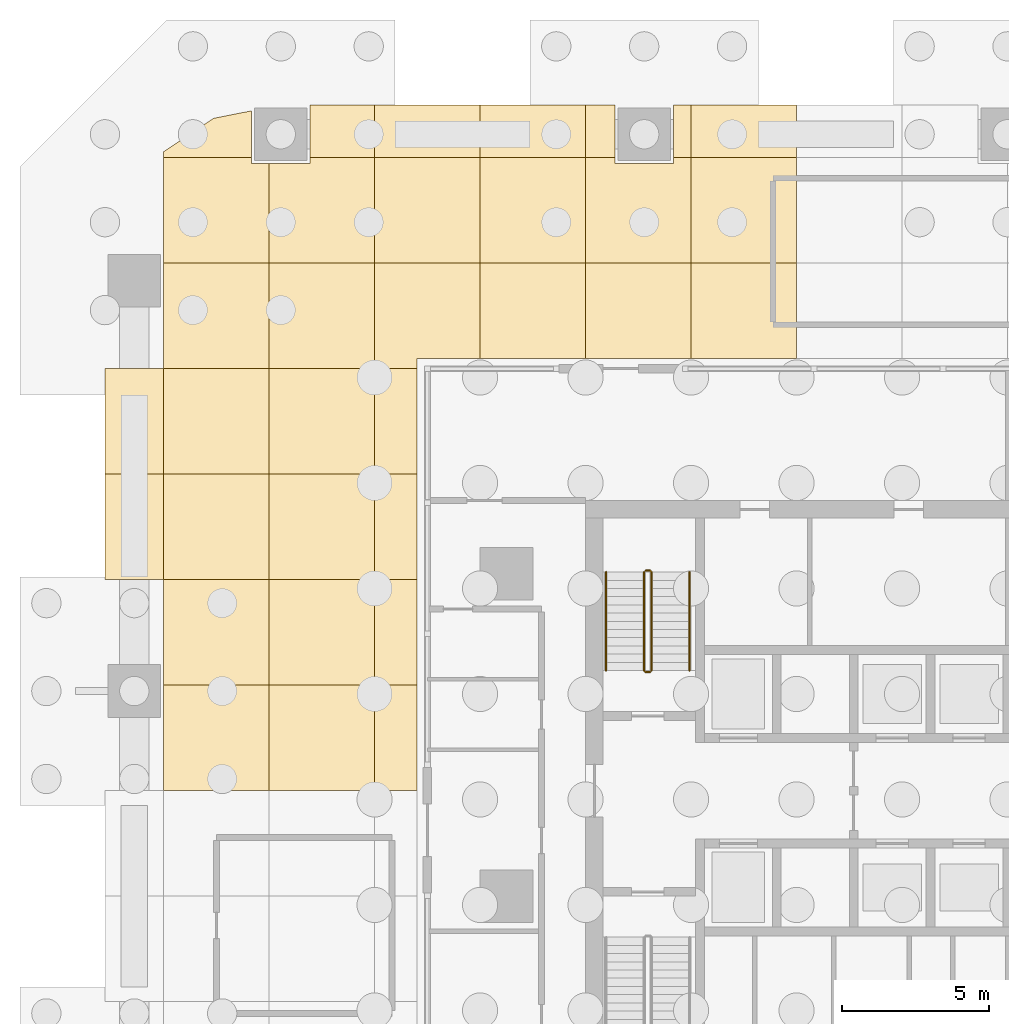
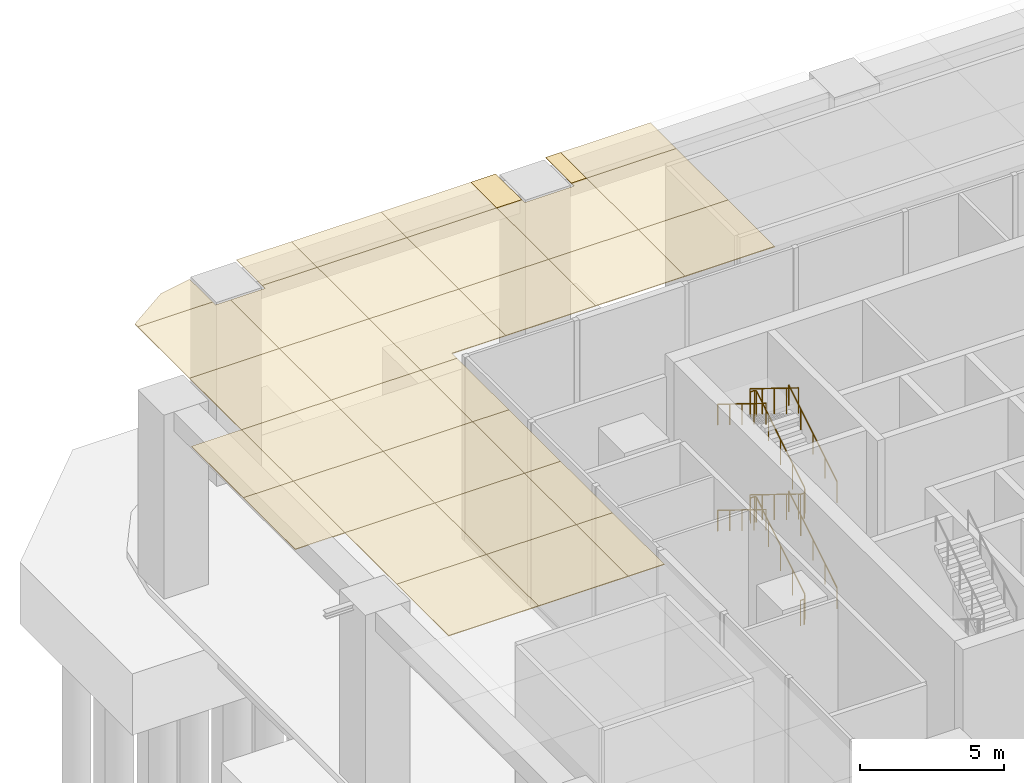
# One storey, part 15 of 18: 33 coverings, 9 railings.
"""IFC4 building model written with IfcOpenShell, lengths in metres."""

from ifc_helpers import new_model, si_unit, direction, frame, origin, origin_2d, place, context, subcontext, project, spatial, polyline, circle, outline, extrude, material, layer, layer_set, type_object, element, save


model = new_model("IFC4")

# Units and contexts
model_context = context("Model", 3, precision=1e-05, world=origin(), true_north=direction((0.0, 1.0)))
body_context = subcontext(model_context, "Body", "Model", "MODEL_VIEW")
ifc_project = project(units=[si_unit("LENGTHUNIT", "METRE"), si_unit("AREAUNIT", "SQUARE_METRE"), si_unit("VOLUMEUNIT", "CUBIC_METRE"), si_unit("PLANEANGLEUNIT", "RADIAN"), si_unit("MASSUNIT", "GRAM", prefix="KILO")], contexts=[model_context])

# Site, building, storey
site_placement = place(None, origin())
site = spatial("IfcSite", under=ifc_project, at=site_placement, CompositionType="ELEMENT")
building_placement = place(site_placement, origin())
building = spatial("IfcBuilding", under=site, at=building_placement, Name="Mopane Tessera Tower", CompositionType="ELEMENT")
storey_placement = place(building_placement, origin())
storey = spatial("IfcBuildingStorey", under=building, at=storey_placement, Name="L00", CompositionType="ELEMENT", Elevation=0.0)

# Railings
ifc_material_1 = material(Name="Powder-coated steel balustrade", Category="steel")
railing_type_1 = type_object("IfcRailingType", Name="Escape stair guard 1100 mm", PredefinedType="GUARDRAIL", material=ifc_material_1)
railing_1_placement = place(storey_placement, frame((-12.14990234375, 7.699951171875, 0.173095703125)))
element("IfcRailing", 1, at=railing_1_placement, inside=storey, type_object=railing_type_1, Name="L00 ST2 stair guard 1", PredefinedType="GUARDRAIL", context=body_context, shape_type="SweptSolid", body=[
    extrude(circle(Radius=0.02392578125, at=origin_2d()), frame((0.0, 0.0, 1.076171875), z_axis=(0.0, 0.850623216509, 0.525775754039), x_axis=(-1.0, 0.0, 0.0)), (0.0, 0.0, 1.0), 3.9501953125),
    extrude(circle(Radius=0.02392578125, at=origin_2d()), frame((0.0, 3.360107421875, 3.15283203125), z_axis=(-0.707106781187, 0.707106781187, 0.0), x_axis=(-0.707106781187, -0.707106781187, 0.0)), (0.0, 0.0, 1.0), 0.07080078125),
    extrude(circle(Radius=0.02392578125, at=origin_2d()), frame((-0.050048828125, 3.41015625, 3.15283203125), z_axis=(-1.0, 0.0, 0.0), x_axis=(0.0, -1.0, 0.0)), (0.0, 0.0, 1.0), 0.150146484375),
    extrude(circle(Radius=0.02099609375, at=origin_2d()), origin(), (0.0, 0.0, 1.0), 1.052001953125),
    extrude(circle(Radius=0.02099609375, at=origin_2d()), frame((0.0, 0.840087890625, 0.519287109375)), (0.0, 0.0, 1.0), 1.052001953125),
    extrude(circle(Radius=0.02099609375, at=origin_2d()), frame((0.0, 1.68017578125, 1.03857421875)), (0.0, 0.0, 1.0), 1.052001953125),
    extrude(circle(Radius=0.02099609375, at=origin_2d()), frame((0.0, 2.52001953125, 1.5576171875)), (0.0, 0.0, 1.0), 1.052001953125),
    extrude(circle(Radius=0.02099609375, at=origin_2d()), frame((0.0, 3.360107421875, 2.076904296875)), (0.0, 0.0, 1.0), 1.052001953125),
    extrude(circle(Radius=0.02099609375, at=origin_2d()), frame((-0.050048828125, 3.41015625, 2.076904296875)), (0.0, 0.0, 1.0), 1.052001953125),
    extrude(circle(Radius=0.02099609375, at=origin_2d()), frame((-0.2001953125, 3.41015625, 2.076904296875)), (0.0, 0.0, 1.0), 1.052001953125),
])
railing_2_placement = place(storey_placement, frame((-12.39990234375, 11.06005859375, 2.423095703125)))
element("IfcRailing", 2, at=railing_2_placement, inside=storey, type_object=railing_type_1, Name="L00 ST2 stair guard 2", PredefinedType="GUARDRAIL", context=body_context, shape_type="SweptSolid", body=[
    extrude(circle(Radius=0.02392578125, at=origin_2d()), frame((0.0, 0.0, 1.076171875), z_axis=(0.0, -0.850623216509, 0.525775754039), x_axis=(1.0, 0.0, 0.0)), (0.0, 0.0, 1.0), 3.9501953125),
    extrude(circle(Radius=0.02392578125, at=origin_2d()), frame((0.0, -3.360107421875, 3.15283203125), z_axis=(0.705375805398, -0.708833529934, 0.0), x_axis=(0.708833529934, 0.705375805398, 0.0)), (0.0, 0.0, 1.0), 0.070556640625),
    extrude(circle(Radius=0.02392578125, at=origin_2d()), frame((0.0498046875, -3.41015625, 3.15283203125), z_axis=(1.0, 0.0, 0.0), x_axis=(0.0, 1.0, 0.0)), (0.0, 0.0, 1.0), 0.150146484375),
    extrude(circle(Radius=0.02099609375, at=origin_2d()), origin(), (0.0, 0.0, 1.0), 1.052001953125),
    extrude(circle(Radius=0.02099609375, at=origin_2d()), frame((0.0, -0.840087890625, 0.519287109375)), (0.0, 0.0, 1.0), 1.052001953125),
    extrude(circle(Radius=0.02099609375, at=origin_2d()), frame((0.0, -1.68017578125, 1.03857421875)), (0.0, 0.0, 1.0), 1.052001953125),
    extrude(circle(Radius=0.02099609375, at=origin_2d()), frame((0.0, -2.52001953125, 1.5576171875)), (0.0, 0.0, 1.0), 1.052001953125),
    extrude(circle(Radius=0.02099609375, at=origin_2d()), frame((0.0, -3.360107421875, 2.076904296875)), (0.0, 0.0, 1.0), 1.052001953125),
    extrude(circle(Radius=0.02099609375, at=origin_2d()), frame((0.0498046875, -3.41015625, 2.076904296875)), (0.0, 0.0, 1.0), 1.052001953125),
    extrude(circle(Radius=0.02099609375, at=origin_2d()), frame((0.199951171875, -3.41015625, 2.076904296875)), (0.0, 0.0, 1.0), 1.052001953125),
])
railing_3_placement = place(storey_placement, frame((-12.14990234375, 7.699951171875, 4.673095703125)))
element("IfcRailing", 3, at=railing_3_placement, inside=storey, type_object=railing_type_1, Name="L00 ST2 stair guard 3", PredefinedType="GUARDRAIL", context=body_context, shape_type="SweptSolid", body=[
    extrude(circle(Radius=0.02392578125, at=origin_2d()), frame((0.0, 0.0, 1.076171875), z_axis=(0.0, 0.850623216509, 0.525775754039), x_axis=(-1.0, 0.0, 0.0)), (0.0, 0.0, 1.0), 3.9501953125),
    extrude(circle(Radius=0.02392578125, at=origin_2d()), frame((0.0, 3.360107421875, 3.15283203125), z_axis=(-0.707106781187, 0.707106781187, 0.0), x_axis=(-0.707106781187, -0.707106781187, 0.0)), (0.0, 0.0, 1.0), 0.07080078125),
    extrude(circle(Radius=0.02392578125, at=origin_2d()), frame((-0.050048828125, 3.41015625, 3.15283203125), z_axis=(-1.0, 0.0, 0.0), x_axis=(0.0, -1.0, 0.0)), (0.0, 0.0, 1.0), 0.150146484375),
    extrude(circle(Radius=0.02099609375, at=origin_2d()), origin(), (0.0, 0.0, 1.0), 1.052001953125),
    extrude(circle(Radius=0.02099609375, at=origin_2d()), frame((0.0, 0.840087890625, 0.519287109375)), (0.0, 0.0, 1.0), 1.052001953125),
    extrude(circle(Radius=0.02099609375, at=origin_2d()), frame((0.0, 1.68017578125, 1.03857421875)), (0.0, 0.0, 1.0), 1.052001953125),
    extrude(circle(Radius=0.02099609375, at=origin_2d()), frame((0.0, 2.52001953125, 1.5576171875)), (0.0, 0.0, 1.0), 1.052001953125),
    extrude(circle(Radius=0.02099609375, at=origin_2d()), frame((0.0, 3.360107421875, 2.076904296875)), (0.0, 0.0, 1.0), 1.052001953125),
    extrude(circle(Radius=0.02099609375, at=origin_2d()), frame((-0.050048828125, 3.41015625, 2.076904296875)), (0.0, 0.0, 1.0), 1.052001953125),
    extrude(circle(Radius=0.02099609375, at=origin_2d()), frame((-0.2001953125, 3.41015625, 2.076904296875)), (0.0, 0.0, 1.0), 1.052001953125),
])
railing_4_placement = place(storey_placement, frame((-12.39990234375, 11.06005859375, 6.923095703125)))
element("IfcRailing", 4, at=railing_4_placement, inside=storey, type_object=railing_type_1, Name="L00 ST2 stair guard 4", PredefinedType="GUARDRAIL", context=body_context, shape_type="SweptSolid", body=[
    extrude(circle(Radius=0.02392578125, at=origin_2d()), frame((0.0, 0.0, 1.076171875), z_axis=(0.0, -0.850623216509, 0.525775754039), x_axis=(1.0, 0.0, 0.0)), (0.0, 0.0, 1.0), 3.9501953125),
    extrude(circle(Radius=0.02099609375, at=origin_2d()), origin(), (0.0, 0.0, 1.0), 1.052001953125),
    extrude(circle(Radius=0.02099609375, at=origin_2d()), frame((0.0, -0.840087890625, 0.519287109375)), (0.0, 0.0, 1.0), 1.052001953125),
    extrude(circle(Radius=0.02099609375, at=origin_2d()), frame((0.0, -1.68017578125, 1.03857421875)), (0.0, 0.0, 1.0), 1.052001953125),
    extrude(circle(Radius=0.02099609375, at=origin_2d()), frame((0.0, -2.52001953125, 1.5576171875)), (0.0, 0.0, 1.0), 1.052001953125),
    extrude(circle(Radius=0.02099609375, at=origin_2d()), frame((0.0, -3.360107421875, 2.076904296875)), (0.0, 0.0, 1.0), 1.052001953125),
])
railing_5_placement = place(storey_placement, frame((-12.199951171875, 7.64990234375, 0.0)))
element("IfcRailing", 5, at=railing_5_placement, inside=storey, type_object=railing_type_1, Name="L00 ST2 stair guard 5", PredefinedType="GUARDRAIL", context=body_context, shape_type="SweptSolid", body=[
    extrude(circle(Radius=0.02392578125, at=origin_2d()), frame((0.0, 0.0, 1.076171875), z_axis=(-1.0, 0.0, 0.0), x_axis=(0.0, -1.0, 0.0)), (0.0, 0.0, 1.0), 0.150146484375),
    extrude(circle(Radius=0.02099609375, at=origin_2d()), origin(), (0.0, 0.0, 1.0), 1.052001953125),
    extrude(circle(Radius=0.02099609375, at=origin_2d()), frame((-0.150146484375, 0.0, 0.0)), (0.0, 0.0, 1.0), 1.052001953125),
])
ifc_material_2 = material(Name="Powder-coated steel balustrade", Category="steel")
railing_type_2 = type_object("IfcRailingType", Name="Escape stair handrail 900 mm", PredefinedType="HANDRAIL", material=ifc_material_2)
railing_6_placement = place(storey_placement, frame((-10.85009765625, 7.699951171875, 0.173095703125)))
element("IfcRailing", 6, at=railing_6_placement, inside=storey, type_object=railing_type_2, Name="L00 ST2 stair handrail 1", PredefinedType="HANDRAIL", context=body_context, shape_type="SweptSolid", body=[
    extrude(circle(Radius=0.02392578125, at=origin_2d()), frame((0.0, 0.0, 0.8759765625), z_axis=(0.0, 0.850623216509, 0.525775754039), x_axis=(-1.0, 0.0, 0.0)), (0.0, 0.0, 1.0), 3.9501953125),
    extrude(circle(Radius=0.02099609375, at=origin_2d()), origin(), (0.0, 0.0, 1.0), 0.851806640625),
    extrude(circle(Radius=0.02099609375, at=origin_2d()), frame((0.0, 0.840087890625, 0.519287109375)), (0.0, 0.0, 1.0), 0.851806640625),
    extrude(circle(Radius=0.02099609375, at=origin_2d()), frame((0.0, 1.68017578125, 1.03857421875)), (0.0, 0.0, 1.0), 0.851806640625),
    extrude(circle(Radius=0.02099609375, at=origin_2d()), frame((0.0, 2.52001953125, 1.5576171875)), (0.0, 0.0, 1.0), 0.851806640625),
    extrude(circle(Radius=0.02099609375, at=origin_2d()), frame((0.0, 3.360107421875, 2.076904296875)), (0.0, 0.0, 1.0), 0.851806640625),
])
railing_7_placement = place(storey_placement, frame((-13.699951171875, 11.06005859375, 2.423095703125)))
element("IfcRailing", 7, at=railing_7_placement, inside=storey, type_object=railing_type_2, Name="L00 ST2 stair handrail 2", PredefinedType="HANDRAIL", context=body_context, shape_type="SweptSolid", body=[
    extrude(circle(Radius=0.02392578125, at=origin_2d()), frame((0.0, 0.0, 0.8759765625), z_axis=(0.0, -0.850623216509, 0.525775754039), x_axis=(1.0, 0.0, 0.0)), (0.0, 0.0, 1.0), 3.9501953125),
    extrude(circle(Radius=0.02099609375, at=origin_2d()), origin(), (0.0, 0.0, 1.0), 0.851806640625),
    extrude(circle(Radius=0.02099609375, at=origin_2d()), frame((0.0, -0.840087890625, 0.519287109375)), (0.0, 0.0, 1.0), 0.851806640625),
    extrude(circle(Radius=0.02099609375, at=origin_2d()), frame((0.0, -1.68017578125, 1.03857421875)), (0.0, 0.0, 1.0), 0.851806640625),
    extrude(circle(Radius=0.02099609375, at=origin_2d()), frame((0.0, -2.52001953125, 1.5576171875)), (0.0, 0.0, 1.0), 0.851806640625),
    extrude(circle(Radius=0.02099609375, at=origin_2d()), frame((0.0, -3.360107421875, 2.076904296875)), (0.0, 0.0, 1.0), 0.851806640625),
])
railing_8_placement = place(storey_placement, frame((-10.85009765625, 7.699951171875, 4.673095703125)))
element("IfcRailing", 8, at=railing_8_placement, inside=storey, type_object=railing_type_2, Name="L00 ST2 stair handrail 3", PredefinedType="HANDRAIL", context=body_context, shape_type="SweptSolid", body=[
    extrude(circle(Radius=0.02392578125, at=origin_2d()), frame((0.0, 0.0, 0.8759765625), z_axis=(0.0, 0.850623216509, 0.525775754039), x_axis=(-1.0, 0.0, 0.0)), (0.0, 0.0, 1.0), 3.9501953125),
    extrude(circle(Radius=0.02099609375, at=origin_2d()), origin(), (0.0, 0.0, 1.0), 0.851806640625),
    extrude(circle(Radius=0.02099609375, at=origin_2d()), frame((0.0, 0.840087890625, 0.519287109375)), (0.0, 0.0, 1.0), 0.851806640625),
    extrude(circle(Radius=0.02099609375, at=origin_2d()), frame((0.0, 1.68017578125, 1.03857421875)), (0.0, 0.0, 1.0), 0.851806640625),
    extrude(circle(Radius=0.02099609375, at=origin_2d()), frame((0.0, 2.52001953125, 1.5576171875)), (0.0, 0.0, 1.0), 0.851806640625),
    extrude(circle(Radius=0.02099609375, at=origin_2d()), frame((0.0, 3.360107421875, 2.076904296875)), (0.0, 0.0, 1.0), 0.851806640625),
])
railing_9_placement = place(storey_placement, frame((-13.699951171875, 11.06005859375, 6.923095703125)))
element("IfcRailing", 9, at=railing_9_placement, inside=storey, type_object=railing_type_2, Name="L00 ST2 stair handrail 4", PredefinedType="HANDRAIL", context=body_context, shape_type="SweptSolid", body=[
    extrude(circle(Radius=0.02392578125, at=origin_2d()), frame((0.0, 0.0, 0.8759765625), z_axis=(0.0, -0.850623216509, 0.525775754039), x_axis=(1.0, 0.0, 0.0)), (0.0, 0.0, 1.0), 3.9501953125),
    extrude(circle(Radius=0.02099609375, at=origin_2d()), origin(), (0.0, 0.0, 1.0), 0.851806640625),
    extrude(circle(Radius=0.02099609375, at=origin_2d()), frame((0.0, -0.840087890625, 0.519287109375)), (0.0, 0.0, 1.0), 0.851806640625),
    extrude(circle(Radius=0.02099609375, at=origin_2d()), frame((0.0, -1.68017578125, 1.03857421875)), (0.0, 0.0, 1.0), 0.851806640625),
    extrude(circle(Radius=0.02099609375, at=origin_2d()), frame((0.0, -2.52001953125, 1.5576171875)), (0.0, 0.0, 1.0), 0.851806640625),
    extrude(circle(Radius=0.02099609375, at=origin_2d()), frame((0.0, -3.360107421875, 2.076904296875)), (0.0, 0.0, 1.0), 0.851806640625),
])

# Coverings
ifc_material_3 = material(Name="Glazed ceramic tile")
ifc_layer = layer(ifc_material_3, 0.030029296875)
ifc_layer_set = layer_set([ifc_layer], Name="Glazed ceramic tile")
covering_type = type_object("IfcCoveringType", Name="Glazed tile soffit panel 3600 x 3600", PredefinedType="CEILING", material=ifc_layer_set)
covering_1_placement = place(storey_placement, frame((0.0, 0.0, 7.77001953125)))
element("IfcCovering", 10, at=covering_1_placement, inside=storey, type_object=covering_type, Name="e:tl:-9:3:0", PredefinedType="CEILING", context=body_context, shape_type="SweptSolid", body=[
    extrude(outline(polyline([(-30.800048828125, 14.39990234375), (-28.800048828125, 14.39990234375), (-28.800048828125, 10.800048828125), (-30.800048828125, 10.800048828125), (-30.800048828125, 14.39990234375)])), origin(), (0.0, 0.0, 1.0), 0.030029296875),
])
covering_2_placement = place(storey_placement, frame((0.0, 0.0, 7.77001953125)))
element("IfcCovering", 11, at=covering_2_placement, inside=storey, type_object=covering_type, Name="e:tl:-9:4:0", PredefinedType="CEILING", context=body_context, shape_type="SweptSolid", body=[
    extrude(outline(polyline([(-30.800048828125, 18.0), (-28.800048828125, 18.0), (-28.800048828125, 14.39990234375), (-30.800048828125, 14.39990234375), (-30.800048828125, 18.0)])), origin(), (0.0, 0.0, 1.0), 0.030029296875),
])
covering_3_placement = place(storey_placement, frame((0.0, 0.0, 7.77001953125)))
element("IfcCovering", 12, at=covering_3_placement, inside=storey, type_object=covering_type, Name="e:tl:-8:1:0", PredefinedType="CEILING", context=body_context, shape_type="SweptSolid", body=[
    extrude(outline(polyline([(-28.800048828125, 7.199951171875), (-25.199951171875, 7.199951171875), (-25.199951171875, 3.60009765625), (-28.800048828125, 3.60009765625), (-28.800048828125, 7.199951171875)])), origin(), (0.0, 0.0, 1.0), 0.030029296875),
])
covering_4_placement = place(storey_placement, frame((0.0, 0.0, 7.77001953125)))
element("IfcCovering", 13, at=covering_4_placement, inside=storey, type_object=covering_type, Name="e:tl:-8:2:0", PredefinedType="CEILING", context=body_context, shape_type="SweptSolid", body=[
    extrude(outline(polyline([(-28.800048828125, 7.199951171875), (-28.800048828125, 10.800048828125), (-25.199951171875, 10.800048828125), (-25.199951171875, 7.199951171875), (-28.800048828125, 7.199951171875)])), origin(), (0.0, 0.0, 1.0), 0.030029296875),
])
covering_5_placement = place(storey_placement, frame((0.0, 0.0, 7.77001953125)))
element("IfcCovering", 14, at=covering_5_placement, inside=storey, type_object=covering_type, Name="e:tl:-8:3:0", PredefinedType="CEILING", context=body_context, shape_type="SweptSolid", body=[
    extrude(outline(polyline([(-28.800048828125, 10.800048828125), (-28.800048828125, 14.39990234375), (-25.199951171875, 14.39990234375), (-25.199951171875, 10.800048828125), (-28.800048828125, 10.800048828125)])), origin(), (0.0, 0.0, 1.0), 0.030029296875),
])
covering_6_placement = place(storey_placement, frame((0.0, 0.0, 7.77001953125)))
element("IfcCovering", 15, at=covering_6_placement, inside=storey, type_object=covering_type, Name="e:tl:-8:4:0", PredefinedType="CEILING", context=body_context, shape_type="SweptSolid", body=[
    extrude(outline(polyline([(-28.800048828125, 14.39990234375), (-28.800048828125, 18.0), (-25.199951171875, 18.0), (-25.199951171875, 14.39990234375), (-28.800048828125, 14.39990234375)])), origin(), (0.0, 0.0, 1.0), 0.030029296875),
])
covering_7_placement = place(storey_placement, frame((0.0, 0.0, 7.77001953125)))
element("IfcCovering", 16, at=covering_7_placement, inside=storey, type_object=covering_type, Name="e:tl:-8:5:0", PredefinedType="CEILING", context=body_context, shape_type="SweptSolid", body=[
    extrude(outline(polyline([(-28.800048828125, 21.60009765625), (-25.199951171875, 21.60009765625), (-25.199951171875, 18.0), (-28.800048828125, 18.0), (-28.800048828125, 21.60009765625)])), origin(), (0.0, 0.0, 1.0), 0.030029296875),
])
covering_8_placement = place(storey_placement, frame((0.0, 0.0, 7.77001953125)))
element("IfcCovering", 17, at=covering_8_placement, inside=storey, type_object=covering_type, Name="e:tl:-8:6:0", PredefinedType="CEILING", context=body_context, shape_type="SweptSolid", body=[
    extrude(outline(polyline([(-28.800048828125, 21.60009765625), (-28.800048828125, 25.199951171875), (-25.800048828125, 25.199951171875), (-25.800048828125, 25.0), (-25.199951171875, 25.0), (-25.199951171875, 21.60009765625), (-28.800048828125, 21.60009765625)])), origin(), (0.0, 0.0, 1.0), 0.030029296875),
])
covering_9_placement = place(storey_placement, frame((0.0, 0.0, 7.77001953125)))
element("IfcCovering", 18, at=covering_9_placement, inside=storey, type_object=covering_type, Name="e:tl:-8:7:0", PredefinedType="CEILING", context=body_context, shape_type="SweptSolid", body=[
    extrude(outline(polyline([(-27.09619140625, 26.543212890625), (-25.800048828125, 26.801025390625), (-25.800048828125, 25.199951171875), (-28.800048828125, 25.199951171875), (-28.800048828125, 25.40478515625), (-27.09619140625, 26.543212890625)])), origin(), (0.0, 0.0, 1.0), 0.030029296875),
])
covering_10_placement = place(storey_placement, frame((0.0, 0.0, 7.77001953125)))
element("IfcCovering", 19, at=covering_10_placement, inside=storey, type_object=covering_type, Name="e:tl:-7:1:0", PredefinedType="CEILING", context=body_context, shape_type="SweptSolid", body=[
    extrude(outline(polyline([(-25.199951171875, 3.60009765625), (-25.199951171875, 7.199951171875), (-21.60009765625, 7.199951171875), (-21.60009765625, 3.60009765625), (-25.199951171875, 3.60009765625)])), origin(), (0.0, 0.0, 1.0), 0.030029296875),
])
covering_11_placement = place(storey_placement, frame((0.0, 0.0, 7.77001953125)))
element("IfcCovering", 20, at=covering_11_placement, inside=storey, type_object=covering_type, Name="e:tl:-7:2:0", PredefinedType="CEILING", context=body_context, shape_type="SweptSolid", body=[
    extrude(outline(polyline([(-25.199951171875, 7.199951171875), (-25.199951171875, 10.800048828125), (-21.60009765625, 10.800048828125), (-21.60009765625, 7.199951171875), (-25.199951171875, 7.199951171875)])), origin(), (0.0, 0.0, 1.0), 0.030029296875),
])
covering_12_placement = place(storey_placement, frame((0.0, 0.0, 7.77001953125)))
element("IfcCovering", 21, at=covering_12_placement, inside=storey, type_object=covering_type, Name="e:tl:-7:3:0", PredefinedType="CEILING", context=body_context, shape_type="SweptSolid", body=[
    extrude(outline(polyline([(-25.199951171875, 10.800048828125), (-25.199951171875, 14.39990234375), (-21.60009765625, 14.39990234375), (-21.60009765625, 10.800048828125), (-25.199951171875, 10.800048828125)])), origin(), (0.0, 0.0, 1.0), 0.030029296875),
])
covering_13_placement = place(storey_placement, frame((0.0, 0.0, 7.77001953125)))
element("IfcCovering", 22, at=covering_13_placement, inside=storey, type_object=covering_type, Name="e:tl:-7:4:0", PredefinedType="CEILING", context=body_context, shape_type="SweptSolid", body=[
    extrude(outline(polyline([(-25.199951171875, 14.39990234375), (-25.199951171875, 18.0), (-21.60009765625, 18.0), (-21.60009765625, 14.39990234375), (-25.199951171875, 14.39990234375)])), origin(), (0.0, 0.0, 1.0), 0.030029296875),
])
covering_14_placement = place(storey_placement, frame((0.0, 0.0, 7.77001953125)))
element("IfcCovering", 23, at=covering_14_placement, inside=storey, type_object=covering_type, Name="e:tl:-7:5:0", PredefinedType="CEILING", context=body_context, shape_type="SweptSolid", body=[
    extrude(outline(polyline([(-25.199951171875, 18.0), (-25.199951171875, 21.60009765625), (-21.60009765625, 21.60009765625), (-21.60009765625, 18.0), (-25.199951171875, 18.0)])), origin(), (0.0, 0.0, 1.0), 0.030029296875),
])
covering_15_placement = place(storey_placement, frame((0.0, 0.0, 7.77001953125)))
element("IfcCovering", 24, at=covering_15_placement, inside=storey, type_object=covering_type, Name="e:tl:-7:6:0", PredefinedType="CEILING", context=body_context, shape_type="SweptSolid", body=[
    extrude(outline(polyline([(-23.800048828125, 25.0), (-23.800048828125, 25.199951171875), (-21.60009765625, 25.199951171875), (-21.60009765625, 21.60009765625), (-25.199951171875, 21.60009765625), (-25.199951171875, 25.0), (-23.800048828125, 25.0)])), origin(), (0.0, 0.0, 1.0), 0.030029296875),
])
covering_16_placement = place(storey_placement, frame((0.0, 0.0, 7.77001953125)))
element("IfcCovering", 25, at=covering_16_placement, inside=storey, type_object=covering_type, Name="e:tl:-7:7:0", PredefinedType="CEILING", context=body_context, shape_type="SweptSolid", body=[
    extrude(outline(polyline([(-23.800048828125, 27.0), (-21.60009765625, 27.0), (-21.60009765625, 25.199951171875), (-23.800048828125, 25.199951171875), (-23.800048828125, 27.0)])), origin(), (0.0, 0.0, 1.0), 0.030029296875),
])
covering_17_placement = place(storey_placement, frame((0.0, 0.0, 7.77001953125)))
element("IfcCovering", 26, at=covering_17_placement, inside=storey, type_object=covering_type, Name="e:tl:-6:1:0", PredefinedType="CEILING", context=body_context, shape_type="SweptSolid", body=[
    extrude(outline(polyline([(-20.14990234375, 3.60009765625), (-21.60009765625, 3.60009765625), (-21.60009765625, 7.199951171875), (-20.14990234375, 7.199951171875), (-20.14990234375, 3.60009765625)])), origin(), (0.0, 0.0, 1.0), 0.030029296875),
])
covering_18_placement = place(storey_placement, frame((0.0, 0.0, 7.77001953125)))
element("IfcCovering", 27, at=covering_18_placement, inside=storey, type_object=covering_type, Name="e:tl:-6:2:0", PredefinedType="CEILING", context=body_context, shape_type="SweptSolid", body=[
    extrude(outline(polyline([(-20.14990234375, 7.199951171875), (-21.60009765625, 7.199951171875), (-21.60009765625, 10.800048828125), (-20.14990234375, 10.800048828125), (-20.14990234375, 7.199951171875)])), origin(), (0.0, 0.0, 1.0), 0.030029296875),
])
covering_19_placement = place(storey_placement, frame((0.0, 0.0, 7.77001953125)))
element("IfcCovering", 28, at=covering_19_placement, inside=storey, type_object=covering_type, Name="e:tl:-6:3:0", PredefinedType="CEILING", context=body_context, shape_type="SweptSolid", body=[
    extrude(outline(polyline([(-20.14990234375, 10.800048828125), (-21.60009765625, 10.800048828125), (-21.60009765625, 14.39990234375), (-20.14990234375, 14.39990234375), (-20.14990234375, 10.800048828125)])), origin(), (0.0, 0.0, 1.0), 0.030029296875),
])
covering_20_placement = place(storey_placement, frame((0.0, 0.0, 7.77001953125)))
element("IfcCovering", 29, at=covering_20_placement, inside=storey, type_object=covering_type, Name="e:tl:-6:4:0", PredefinedType="CEILING", context=body_context, shape_type="SweptSolid", body=[
    extrude(outline(polyline([(-20.14990234375, 14.39990234375), (-21.60009765625, 14.39990234375), (-21.60009765625, 18.0), (-20.14990234375, 18.0), (-20.14990234375, 14.39990234375)])), origin(), (0.0, 0.0, 1.0), 0.030029296875),
])
covering_21_placement = place(storey_placement, frame((0.0, 0.0, 7.77001953125)))
element("IfcCovering", 30, at=covering_21_placement, inside=storey, type_object=covering_type, Name="e:tl:-6:5:0", PredefinedType="CEILING", context=body_context, shape_type="SweptSolid", body=[
    extrude(outline(polyline([(-20.14990234375, 18.0), (-21.60009765625, 18.0), (-21.60009765625, 21.60009765625), (-18.0, 21.60009765625), (-18.0, 18.35009765625), (-20.14990234375, 18.35009765625), (-20.14990234375, 18.0)])), origin(), (0.0, 0.0, 1.0), 0.030029296875),
])
covering_22_placement = place(storey_placement, frame((0.0, 0.0, 7.77001953125)))
element("IfcCovering", 31, at=covering_22_placement, inside=storey, type_object=covering_type, Name="e:tl:-6:6:0", PredefinedType="CEILING", context=body_context, shape_type="SweptSolid", body=[
    extrude(outline(polyline([(-21.60009765625, 21.60009765625), (-21.60009765625, 25.199951171875), (-18.0, 25.199951171875), (-18.0, 21.60009765625), (-21.60009765625, 21.60009765625)])), origin(), (0.0, 0.0, 1.0), 0.030029296875),
])
covering_23_placement = place(storey_placement, frame((0.0, 0.0, 7.77001953125)))
element("IfcCovering", 32, at=covering_23_placement, inside=storey, type_object=covering_type, Name="e:tl:-6:7:0", PredefinedType="CEILING", context=body_context, shape_type="SweptSolid", body=[
    extrude(outline(polyline([(-18.0, 27.0), (-18.0, 25.199951171875), (-21.60009765625, 25.199951171875), (-21.60009765625, 27.0), (-18.0, 27.0)])), origin(), (0.0, 0.0, 1.0), 0.030029296875),
])
covering_24_placement = place(storey_placement, frame((0.0, 0.0, 7.77001953125)))
element("IfcCovering", 33, at=covering_24_placement, inside=storey, type_object=covering_type, Name="e:tl:-5:5:0", PredefinedType="CEILING", context=body_context, shape_type="SweptSolid", body=[
    extrude(outline(polyline([(-18.0, 18.35009765625), (-18.0, 21.60009765625), (-14.39990234375, 21.60009765625), (-14.39990234375, 18.35009765625), (-18.0, 18.35009765625)])), origin(), (0.0, 0.0, 1.0), 0.030029296875),
])
covering_25_placement = place(storey_placement, frame((0.0, 0.0, 7.77001953125)))
element("IfcCovering", 34, at=covering_25_placement, inside=storey, type_object=covering_type, Name="e:tl:-5:6:0", PredefinedType="CEILING", context=body_context, shape_type="SweptSolid", body=[
    extrude(outline(polyline([(-18.0, 21.60009765625), (-18.0, 25.199951171875), (-14.39990234375, 25.199951171875), (-14.39990234375, 21.60009765625), (-18.0, 21.60009765625)])), origin(), (0.0, 0.0, 1.0), 0.030029296875),
])
covering_26_placement = place(storey_placement, frame((0.0, 0.0, 7.77001953125)))
element("IfcCovering", 35, at=covering_26_placement, inside=storey, type_object=covering_type, Name="e:tl:-5:7:0", PredefinedType="CEILING", context=body_context, shape_type="SweptSolid", body=[
    extrude(outline(polyline([(-14.39990234375, 27.0), (-14.39990234375, 25.199951171875), (-18.0, 25.199951171875), (-18.0, 27.0), (-14.39990234375, 27.0)])), origin(), (0.0, 0.0, 1.0), 0.030029296875),
])
covering_27_placement = place(storey_placement, frame((0.0, 0.0, 7.77001953125)))
element("IfcCovering", 36, at=covering_27_placement, inside=storey, type_object=covering_type, Name="e:tl:-4:5:0", PredefinedType="CEILING", context=body_context, shape_type="SweptSolid", body=[
    extrude(outline(polyline([(-14.39990234375, 18.35009765625), (-14.39990234375, 21.60009765625), (-10.800048828125, 21.60009765625), (-10.800048828125, 18.35009765625), (-14.39990234375, 18.35009765625)])), origin(), (0.0, 0.0, 1.0), 0.030029296875),
])
covering_28_placement = place(storey_placement, frame((0.0, 0.0, 7.77001953125)))
element("IfcCovering", 37, at=covering_28_placement, inside=storey, type_object=covering_type, Name="e:tl:-4:6:0", PredefinedType="CEILING", context=body_context, shape_type="SweptSolid", body=[
    extrude(outline(polyline([(-13.39990234375, 25.0), (-11.39990234375, 25.0), (-11.39990234375, 25.199951171875), (-10.800048828125, 25.199951171875), (-10.800048828125, 21.60009765625), (-14.39990234375, 21.60009765625), (-14.39990234375, 25.199951171875), (-13.39990234375, 25.199951171875), (-13.39990234375, 25.0)])), origin(), (0.0, 0.0, 1.0), 0.030029296875),
])
covering_29_placement = place(storey_placement, frame((0.0, 0.0, 7.77001953125)))
element("IfcCovering", 38, at=covering_29_placement, inside=storey, type_object=covering_type, Name="e:tl:-4:7:0", PredefinedType="CEILING", context=body_context, shape_type="SweptSolid", body=[
    extrude(outline(polyline([(-13.39990234375, 27.0), (-13.39990234375, 25.199951171875), (-14.39990234375, 25.199951171875), (-14.39990234375, 27.0), (-13.39990234375, 27.0)])), origin(), (0.0, 0.0, 1.0), 0.030029296875),
])
covering_30_placement = place(storey_placement, frame((0.0, 0.0, 7.77001953125)))
element("IfcCovering", 39, at=covering_30_placement, inside=storey, type_object=covering_type, Name="e:tl:-4:7:1", PredefinedType="CEILING", context=body_context, shape_type="SweptSolid", body=[
    extrude(outline(polyline([(-11.39990234375, 27.0), (-10.800048828125, 27.0), (-10.800048828125, 25.199951171875), (-11.39990234375, 25.199951171875), (-11.39990234375, 27.0)])), origin(), (0.0, 0.0, 1.0), 0.030029296875),
])
covering_31_placement = place(storey_placement, frame((0.0, 0.0, 7.77001953125)))
element("IfcCovering", 40, at=covering_31_placement, inside=storey, type_object=covering_type, Name="e:tl:-3:5:0", PredefinedType="CEILING", context=body_context, shape_type="SweptSolid", body=[
    extrude(outline(polyline([(-10.800048828125, 18.35009765625), (-10.800048828125, 21.60009765625), (-7.199951171875, 21.60009765625), (-7.199951171875, 18.35009765625), (-10.800048828125, 18.35009765625)])), origin(), (0.0, 0.0, 1.0), 0.030029296875),
])
covering_32_placement = place(storey_placement, frame((0.0, 0.0, 7.77001953125)))
element("IfcCovering", 41, at=covering_32_placement, inside=storey, type_object=covering_type, Name="e:tl:-3:6:0", PredefinedType="CEILING", context=body_context, shape_type="SweptSolid", body=[
    extrude(outline(polyline([(-10.800048828125, 21.60009765625), (-10.800048828125, 25.199951171875), (-7.199951171875, 25.199951171875), (-7.199951171875, 21.60009765625), (-10.800048828125, 21.60009765625)])), origin(), (0.0, 0.0, 1.0), 0.030029296875),
])
covering_33_placement = place(storey_placement, frame((0.0, 0.0, 7.77001953125)))
element("IfcCovering", 42, at=covering_33_placement, inside=storey, type_object=covering_type, Name="e:tl:-3:7:0", PredefinedType="CEILING", context=body_context, shape_type="SweptSolid", body=[
    extrude(outline(polyline([(-7.199951171875, 27.0), (-7.199951171875, 25.199951171875), (-10.800048828125, 25.199951171875), (-10.800048828125, 27.0), (-7.199951171875, 27.0)])), origin(), (0.0, 0.0, 1.0), 0.030029296875),
])

save(model, "model.ifc")
